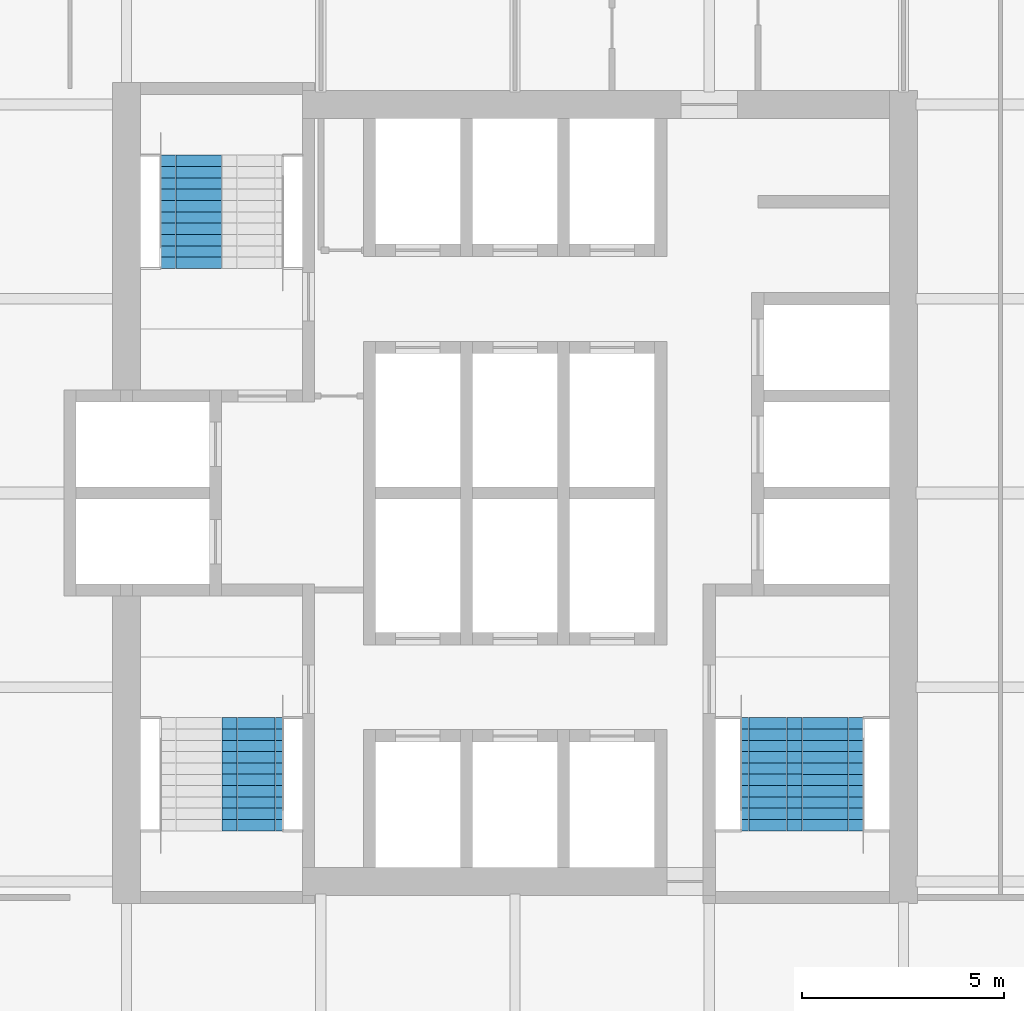
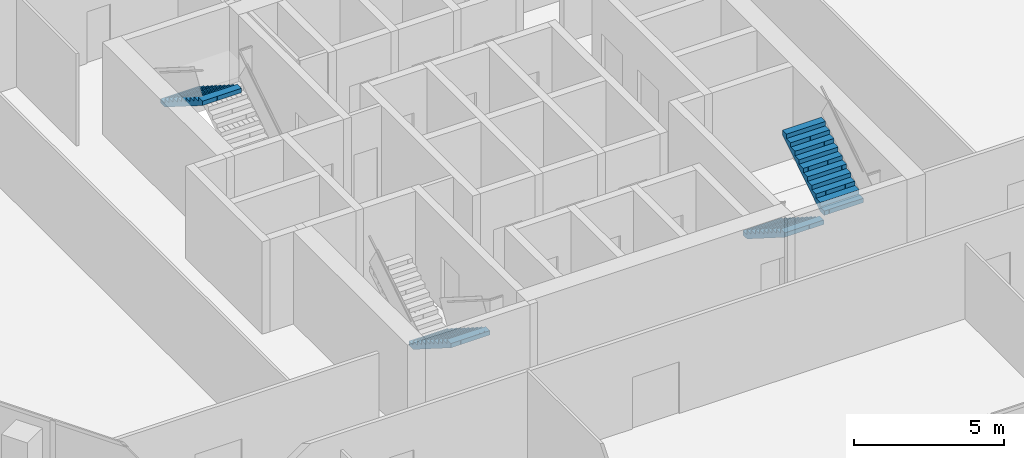
# One storey, part 12 of 15: 4 stair flights, 3 elements without a shape of their own.
"""IFC4 building model written with IfcOpenShell, lengths in metres."""

from ifc_helpers import new_model, si_unit, direction, frame, origin, place, context, subcontext, project, spatial, polyline, outline, extrude, material, type_object, element, aggregate, save


model = new_model("IFC4")

# Units and contexts
model_context = context("Model", 3, precision=1e-05, world=origin(), true_north=direction((0.0, 1.0)))
body_context = subcontext(model_context, "Body", "Model", "MODEL_VIEW")
ifc_project = project(units=[si_unit("LENGTHUNIT", "METRE"), si_unit("AREAUNIT", "SQUARE_METRE"), si_unit("VOLUMEUNIT", "CUBIC_METRE"), si_unit("PLANEANGLEUNIT", "RADIAN"), si_unit("MASSUNIT", "GRAM", prefix="KILO")], contexts=[model_context])

# Site, building, storey
site_placement = place(None, origin())
site = spatial("IfcSite", under=ifc_project, at=site_placement, CompositionType="ELEMENT")
building_placement = place(site_placement, origin())
building = spatial("IfcBuilding", under=site, at=building_placement, Name="Kolab Exchange Tower", CompositionType="ELEMENT")
storey_placement = place(building_placement, frame((0.0, 0.0, 154.39990234375)))
storey = spatial("IfcBuildingStorey", under=building, at=storey_placement, Name="L31", CompositionType="ELEMENT", Elevation=154.39990234375)

# Stair, stair flight
ifc_material = material(Name="Concrete C50/60", Category="concrete")
stair_type_1 = type_object("IfcStairType", Name="STAIR ST1 RISER 177.3", PredefinedType="HALF_TURN_STAIR", material=ifc_material)
stair_1_placement = place(storey_placement, origin())
stair_1 = element("IfcStair", 1, at=stair_1_placement, inside=storey, type_object=stair_type_1, Name="Stair 1", PredefinedType="HALF_TURN_STAIR")
stair_flight_type = type_object("IfcStairFlightType", Name="STAIR FLIGHT 1500 RISER 177.3", PredefinedType="STRAIGHT", material=ifc_material)
stair_flight_1_placement = place(storey_placement, frame((-8.010009765625, 8.35009765625, 1.9501953125), z_axis=(0.0, 0.0, 1.0), x_axis=(0.0, -1.0, 0.0)))
stair_flight_1 = element("IfcStairFlight", 2, at=stair_flight_1_placement, type_object=stair_flight_type, Name="ST1 flight 2", NumberOfRisers=11, NumberOfTreads=10, PredefinedType="STRAIGHT", RiserHeight=0.177272727, TreadLength=0.28, context=body_context, shape_type="SweptSolid", body=[
    extrude(outline(polyline([(0.0, 0.0), (0.0, 0.17724609375), (0.280029296875, 0.17724609375), (0.280029296875, 0.3544921875), (0.56005859375, 0.3544921875), (0.56005859375, 0.53173828125), (0.840087890625, 0.53173828125), (0.840087890625, 0.708984375), (1.1201171875, 0.708984375), (1.1201171875, 0.886474609375), (1.39990234375, 0.886474609375), (1.39990234375, 1.063720703125), (1.679931640625, 1.063720703125), (1.679931640625, 1.240966796875), (1.9599609375, 1.240966796875), (1.9599609375, 1.418212890625), (2.239990234375, 1.418212890625), (2.239990234375, 1.595458984375), (2.52001953125, 1.595458984375), (2.52001953125, 1.772705078125), (2.800048828125, 1.772705078125), (2.800048828125, 1.949951171875), (2.800048828125, 1.59521484375), (0.2802734375, 0.0), (0.0, 0.0)])), frame((0.0, 0.75, 0.0), z_axis=(0.0, -1.0, 0.0), x_axis=(1.0, 0.0, 0.0)), (0.0, 0.0, 1.0), 0.185791015625),
    extrude(outline(polyline([(0.0, 0.0), (0.0, 0.17724609375), (0.280029296875, 0.17724609375), (0.280029296875, 0.3544921875), (0.56005859375, 0.3544921875), (0.56005859375, 0.53173828125), (0.840087890625, 0.53173828125), (0.840087890625, 0.708984375), (1.1201171875, 0.708984375), (1.1201171875, 0.886474609375), (1.39990234375, 0.886474609375), (1.39990234375, 1.063720703125), (1.679931640625, 1.063720703125), (1.679931640625, 1.240966796875), (1.9599609375, 1.240966796875), (1.9599609375, 1.418212890625), (2.239990234375, 1.418212890625), (2.239990234375, 1.595458984375), (2.52001953125, 1.595458984375), (2.52001953125, 1.772705078125), (2.800048828125, 1.772705078125), (2.800048828125, 1.949951171875), (2.800048828125, 1.59521484375), (0.2802734375, 0.0), (0.0, 0.0)])), frame((0.0, 0.562255859375, 0.0), z_axis=(0.0, -1.0, 0.0), x_axis=(1.0, 0.0, 0.0)), (0.0, 0.0, 1.0), 0.185791015625),
    extrude(outline(polyline([(0.0, 0.0), (0.0, 0.17724609375), (0.280029296875, 0.17724609375), (0.280029296875, 0.3544921875), (0.56005859375, 0.3544921875), (0.56005859375, 0.53173828125), (0.840087890625, 0.53173828125), (0.840087890625, 0.708984375), (1.1201171875, 0.708984375), (1.1201171875, 0.886474609375), (1.39990234375, 0.886474609375), (1.39990234375, 1.063720703125), (1.679931640625, 1.063720703125), (1.679931640625, 1.240966796875), (1.9599609375, 1.240966796875), (1.9599609375, 1.418212890625), (2.239990234375, 1.418212890625), (2.239990234375, 1.595458984375), (2.52001953125, 1.595458984375), (2.52001953125, 1.772705078125), (2.800048828125, 1.772705078125), (2.800048828125, 1.949951171875), (2.800048828125, 1.59521484375), (0.2802734375, 0.0), (0.0, 0.0)])), frame((0.0, 0.37451171875, 0.0), z_axis=(0.0, -1.0, 0.0), x_axis=(1.0, 0.0, 0.0)), (0.0, 0.0, 1.0), 0.185791015625),
    extrude(outline(polyline([(0.0, 0.0), (0.0, 0.17724609375), (0.280029296875, 0.17724609375), (0.280029296875, 0.3544921875), (0.56005859375, 0.3544921875), (0.56005859375, 0.53173828125), (0.840087890625, 0.53173828125), (0.840087890625, 0.708984375), (1.1201171875, 0.708984375), (1.1201171875, 0.886474609375), (1.39990234375, 0.886474609375), (1.39990234375, 1.063720703125), (1.679931640625, 1.063720703125), (1.679931640625, 1.240966796875), (1.9599609375, 1.240966796875), (1.9599609375, 1.418212890625), (2.239990234375, 1.418212890625), (2.239990234375, 1.595458984375), (2.52001953125, 1.595458984375), (2.52001953125, 1.772705078125), (2.800048828125, 1.772705078125), (2.800048828125, 1.949951171875), (2.800048828125, 1.59521484375), (0.2802734375, 0.0), (0.0, 0.0)])), frame((0.0, 0.186767578125, 0.0), z_axis=(0.0, -1.0, 0.0), x_axis=(1.0, 0.0, 0.0)), (0.0, 0.0, 1.0), 0.185791015625),
    extrude(outline(polyline([(0.0, 0.0), (0.0, 0.17724609375), (0.280029296875, 0.17724609375), (0.280029296875, 0.3544921875), (0.56005859375, 0.3544921875), (0.56005859375, 0.53173828125), (0.840087890625, 0.53173828125), (0.840087890625, 0.708984375), (1.1201171875, 0.708984375), (1.1201171875, 0.886474609375), (1.39990234375, 0.886474609375), (1.39990234375, 1.063720703125), (1.679931640625, 1.063720703125), (1.679931640625, 1.240966796875), (1.9599609375, 1.240966796875), (1.9599609375, 1.418212890625), (2.239990234375, 1.418212890625), (2.239990234375, 1.595458984375), (2.52001953125, 1.595458984375), (2.52001953125, 1.772705078125), (2.800048828125, 1.772705078125), (2.800048828125, 1.949951171875), (2.800048828125, 1.59521484375), (0.2802734375, 0.0), (0.0, 0.0)])), frame((0.0, -0.0009765625, 0.0), z_axis=(0.0, -1.0, 0.0), x_axis=(1.0, 0.0, 0.0)), (0.0, 0.0, 1.0), 0.185791015625),
    extrude(outline(polyline([(0.0, 0.0), (0.0, 0.17724609375), (0.280029296875, 0.17724609375), (0.280029296875, 0.3544921875), (0.56005859375, 0.3544921875), (0.56005859375, 0.53173828125), (0.840087890625, 0.53173828125), (0.840087890625, 0.708984375), (1.1201171875, 0.708984375), (1.1201171875, 0.886474609375), (1.39990234375, 0.886474609375), (1.39990234375, 1.063720703125), (1.679931640625, 1.063720703125), (1.679931640625, 1.240966796875), (1.9599609375, 1.240966796875), (1.9599609375, 1.418212890625), (2.239990234375, 1.418212890625), (2.239990234375, 1.595458984375), (2.52001953125, 1.595458984375), (2.52001953125, 1.772705078125), (2.800048828125, 1.772705078125), (2.800048828125, 1.949951171875), (2.800048828125, 1.59521484375), (0.2802734375, 0.0), (0.0, 0.0)])), frame((0.0, -0.188720703125, 0.0), z_axis=(0.0, -1.0, 0.0), x_axis=(1.0, 0.0, 0.0)), (0.0, 0.0, 1.0), 0.185791015625),
    extrude(outline(polyline([(0.0, 0.0), (0.0, 0.17724609375), (0.280029296875, 0.17724609375), (0.280029296875, 0.3544921875), (0.56005859375, 0.3544921875), (0.56005859375, 0.53173828125), (0.840087890625, 0.53173828125), (0.840087890625, 0.708984375), (1.1201171875, 0.708984375), (1.1201171875, 0.886474609375), (1.39990234375, 0.886474609375), (1.39990234375, 1.063720703125), (1.679931640625, 1.063720703125), (1.679931640625, 1.240966796875), (1.9599609375, 1.240966796875), (1.9599609375, 1.418212890625), (2.239990234375, 1.418212890625), (2.239990234375, 1.595458984375), (2.52001953125, 1.595458984375), (2.52001953125, 1.772705078125), (2.800048828125, 1.772705078125), (2.800048828125, 1.949951171875), (2.800048828125, 1.59521484375), (0.2802734375, 0.0), (0.0, 0.0)])), frame((0.0, -0.37646484375, 0.0), z_axis=(0.0, -1.0, 0.0), x_axis=(1.0, 0.0, 0.0)), (0.0, 0.0, 1.0), 0.185791015625),
    extrude(outline(polyline([(0.0, 0.0), (0.0, 0.17724609375), (0.280029296875, 0.17724609375), (0.280029296875, 0.3544921875), (0.56005859375, 0.3544921875), (0.56005859375, 0.53173828125), (0.840087890625, 0.53173828125), (0.840087890625, 0.708984375), (1.1201171875, 0.708984375), (1.1201171875, 0.886474609375), (1.39990234375, 0.886474609375), (1.39990234375, 1.063720703125), (1.679931640625, 1.063720703125), (1.679931640625, 1.240966796875), (1.9599609375, 1.240966796875), (1.9599609375, 1.418212890625), (2.239990234375, 1.418212890625), (2.239990234375, 1.595458984375), (2.52001953125, 1.595458984375), (2.52001953125, 1.772705078125), (2.800048828125, 1.772705078125), (2.800048828125, 1.949951171875), (2.800048828125, 1.59521484375), (0.2802734375, 0.0), (0.0, 0.0)])), frame((0.0, -0.564208984375, 0.0), z_axis=(0.0, -1.0, 0.0), x_axis=(1.0, 0.0, 0.0)), (0.0, 0.0, 1.0), 0.185791015625),
])
aggregate(stair_1, [stair_flight_1])

stair_type_2 = type_object("IfcStairType", Name="STAIR ST3 RISER 177.3", PredefinedType="HALF_TURN_STAIR", material=ifc_material)
stair_2_placement = place(storey_placement, origin())
stair_2 = element("IfcStair", 3, at=stair_2_placement, inside=storey, type_object=stair_type_2, Name="Stair 3", PredefinedType="HALF_TURN_STAIR")
stair_flight_2_placement = place(storey_placement, frame((-6.489990234375, -5.550048828125, 0.0), z_axis=(0.0, 0.0, 1.0), x_axis=(0.0, -1.0, 0.0)))
stair_flight_2 = element("IfcStairFlight", 4, at=stair_flight_2_placement, type_object=stair_flight_type, Name="ST3 flight 1", NumberOfRisers=11, NumberOfTreads=10, PredefinedType="STRAIGHT", RiserHeight=0.177272727, TreadLength=0.28, context=body_context, shape_type="SweptSolid", body=[
    extrude(outline(polyline([(0.0, 0.0), (0.0, 0.17724609375), (0.280029296875, 0.17724609375), (0.280029296875, 0.3544921875), (0.56005859375, 0.3544921875), (0.56005859375, 0.53173828125), (0.840087890625, 0.53173828125), (0.840087890625, 0.708984375), (1.1201171875, 0.708984375), (1.1201171875, 0.886474609375), (1.39990234375, 0.886474609375), (1.39990234375, 1.063720703125), (1.679931640625, 1.063720703125), (1.679931640625, 1.240966796875), (1.9599609375, 1.240966796875), (1.9599609375, 1.418212890625), (2.239990234375, 1.418212890625), (2.239990234375, 1.595458984375), (2.52001953125, 1.595458984375), (2.52001953125, 1.772705078125), (2.800048828125, 1.772705078125), (2.800048828125, 1.949951171875), (2.800048828125, 1.59521484375), (0.2802734375, 0.0), (0.0, 0.0)])), frame((0.0, 0.75, 0.0), z_axis=(0.0, -1.0, 0.0), x_axis=(1.0, 0.0, 0.0)), (0.0, 0.0, 1.0), 0.185791015625),
    extrude(outline(polyline([(0.0, 0.0), (0.0, 0.17724609375), (0.280029296875, 0.17724609375), (0.280029296875, 0.3544921875), (0.56005859375, 0.3544921875), (0.56005859375, 0.53173828125), (0.840087890625, 0.53173828125), (0.840087890625, 0.708984375), (1.1201171875, 0.708984375), (1.1201171875, 0.886474609375), (1.39990234375, 0.886474609375), (1.39990234375, 1.063720703125), (1.679931640625, 1.063720703125), (1.679931640625, 1.240966796875), (1.9599609375, 1.240966796875), (1.9599609375, 1.418212890625), (2.239990234375, 1.418212890625), (2.239990234375, 1.595458984375), (2.52001953125, 1.595458984375), (2.52001953125, 1.772705078125), (2.800048828125, 1.772705078125), (2.800048828125, 1.949951171875), (2.800048828125, 1.59521484375), (0.2802734375, 0.0), (0.0, 0.0)])), frame((0.0, 0.562255859375, 0.0), z_axis=(0.0, -1.0, 0.0), x_axis=(1.0, 0.0, 0.0)), (0.0, 0.0, 1.0), 0.185791015625),
    extrude(outline(polyline([(0.0, 0.0), (0.0, 0.17724609375), (0.280029296875, 0.17724609375), (0.280029296875, 0.3544921875), (0.56005859375, 0.3544921875), (0.56005859375, 0.53173828125), (0.840087890625, 0.53173828125), (0.840087890625, 0.708984375), (1.1201171875, 0.708984375), (1.1201171875, 0.886474609375), (1.39990234375, 0.886474609375), (1.39990234375, 1.063720703125), (1.679931640625, 1.063720703125), (1.679931640625, 1.240966796875), (1.9599609375, 1.240966796875), (1.9599609375, 1.418212890625), (2.239990234375, 1.418212890625), (2.239990234375, 1.595458984375), (2.52001953125, 1.595458984375), (2.52001953125, 1.772705078125), (2.800048828125, 1.772705078125), (2.800048828125, 1.949951171875), (2.800048828125, 1.59521484375), (0.2802734375, 0.0), (0.0, 0.0)])), frame((0.0, 0.37451171875, 0.0), z_axis=(0.0, -1.0, 0.0), x_axis=(1.0, 0.0, 0.0)), (0.0, 0.0, 1.0), 0.185791015625),
    extrude(outline(polyline([(0.0, 0.0), (0.0, 0.17724609375), (0.280029296875, 0.17724609375), (0.280029296875, 0.3544921875), (0.56005859375, 0.3544921875), (0.56005859375, 0.53173828125), (0.840087890625, 0.53173828125), (0.840087890625, 0.708984375), (1.1201171875, 0.708984375), (1.1201171875, 0.886474609375), (1.39990234375, 0.886474609375), (1.39990234375, 1.063720703125), (1.679931640625, 1.063720703125), (1.679931640625, 1.240966796875), (1.9599609375, 1.240966796875), (1.9599609375, 1.418212890625), (2.239990234375, 1.418212890625), (2.239990234375, 1.595458984375), (2.52001953125, 1.595458984375), (2.52001953125, 1.772705078125), (2.800048828125, 1.772705078125), (2.800048828125, 1.949951171875), (2.800048828125, 1.59521484375), (0.2802734375, 0.0), (0.0, 0.0)])), frame((0.0, 0.186767578125, 0.0), z_axis=(0.0, -1.0, 0.0), x_axis=(1.0, 0.0, 0.0)), (0.0, 0.0, 1.0), 0.185791015625),
    extrude(outline(polyline([(0.0, 0.0), (0.0, 0.17724609375), (0.280029296875, 0.17724609375), (0.280029296875, 0.3544921875), (0.56005859375, 0.3544921875), (0.56005859375, 0.53173828125), (0.840087890625, 0.53173828125), (0.840087890625, 0.708984375), (1.1201171875, 0.708984375), (1.1201171875, 0.886474609375), (1.39990234375, 0.886474609375), (1.39990234375, 1.063720703125), (1.679931640625, 1.063720703125), (1.679931640625, 1.240966796875), (1.9599609375, 1.240966796875), (1.9599609375, 1.418212890625), (2.239990234375, 1.418212890625), (2.239990234375, 1.595458984375), (2.52001953125, 1.595458984375), (2.52001953125, 1.772705078125), (2.800048828125, 1.772705078125), (2.800048828125, 1.949951171875), (2.800048828125, 1.59521484375), (0.2802734375, 0.0), (0.0, 0.0)])), frame((0.0, -0.0009765625, 0.0), z_axis=(0.0, -1.0, 0.0), x_axis=(1.0, 0.0, 0.0)), (0.0, 0.0, 1.0), 0.185791015625),
    extrude(outline(polyline([(0.0, 0.0), (0.0, 0.17724609375), (0.280029296875, 0.17724609375), (0.280029296875, 0.3544921875), (0.56005859375, 0.3544921875), (0.56005859375, 0.53173828125), (0.840087890625, 0.53173828125), (0.840087890625, 0.708984375), (1.1201171875, 0.708984375), (1.1201171875, 0.886474609375), (1.39990234375, 0.886474609375), (1.39990234375, 1.063720703125), (1.679931640625, 1.063720703125), (1.679931640625, 1.240966796875), (1.9599609375, 1.240966796875), (1.9599609375, 1.418212890625), (2.239990234375, 1.418212890625), (2.239990234375, 1.595458984375), (2.52001953125, 1.595458984375), (2.52001953125, 1.772705078125), (2.800048828125, 1.772705078125), (2.800048828125, 1.949951171875), (2.800048828125, 1.59521484375), (0.2802734375, 0.0), (0.0, 0.0)])), frame((0.0, -0.188720703125, 0.0), z_axis=(0.0, -1.0, 0.0), x_axis=(1.0, 0.0, 0.0)), (0.0, 0.0, 1.0), 0.185791015625),
    extrude(outline(polyline([(0.0, 0.0), (0.0, 0.17724609375), (0.280029296875, 0.17724609375), (0.280029296875, 0.3544921875), (0.56005859375, 0.3544921875), (0.56005859375, 0.53173828125), (0.840087890625, 0.53173828125), (0.840087890625, 0.708984375), (1.1201171875, 0.708984375), (1.1201171875, 0.886474609375), (1.39990234375, 0.886474609375), (1.39990234375, 1.063720703125), (1.679931640625, 1.063720703125), (1.679931640625, 1.240966796875), (1.9599609375, 1.240966796875), (1.9599609375, 1.418212890625), (2.239990234375, 1.418212890625), (2.239990234375, 1.595458984375), (2.52001953125, 1.595458984375), (2.52001953125, 1.772705078125), (2.800048828125, 1.772705078125), (2.800048828125, 1.949951171875), (2.800048828125, 1.59521484375), (0.2802734375, 0.0), (0.0, 0.0)])), frame((0.0, -0.37646484375, 0.0), z_axis=(0.0, -1.0, 0.0), x_axis=(1.0, 0.0, 0.0)), (0.0, 0.0, 1.0), 0.185791015625),
    extrude(outline(polyline([(0.0, 0.0), (0.0, 0.17724609375), (0.280029296875, 0.17724609375), (0.280029296875, 0.3544921875), (0.56005859375, 0.3544921875), (0.56005859375, 0.53173828125), (0.840087890625, 0.53173828125), (0.840087890625, 0.708984375), (1.1201171875, 0.708984375), (1.1201171875, 0.886474609375), (1.39990234375, 0.886474609375), (1.39990234375, 1.063720703125), (1.679931640625, 1.063720703125), (1.679931640625, 1.240966796875), (1.9599609375, 1.240966796875), (1.9599609375, 1.418212890625), (2.239990234375, 1.418212890625), (2.239990234375, 1.595458984375), (2.52001953125, 1.595458984375), (2.52001953125, 1.772705078125), (2.800048828125, 1.772705078125), (2.800048828125, 1.949951171875), (2.800048828125, 1.59521484375), (0.2802734375, 0.0), (0.0, 0.0)])), frame((0.0, -0.564208984375, 0.0), z_axis=(0.0, -1.0, 0.0), x_axis=(1.0, 0.0, 0.0)), (0.0, 0.0, 1.0), 0.185791015625),
])
aggregate(stair_2, [stair_flight_2])

# Stair, stair flights
stair_type_3 = type_object("IfcStairType", Name="STAIR ST2 RISER 177.3", PredefinedType="HALF_TURN_STAIR", material=ifc_material)
stair_3_placement = place(storey_placement, origin())
stair_3 = element("IfcStair", 5, at=stair_3_placement, inside=storey, type_object=stair_type_3, Name="Stair 2", PredefinedType="HALF_TURN_STAIR")
stair_flight_3_placement = place(storey_placement, frame((6.340087890625, -5.550048828125, 0.0), z_axis=(0.0, 0.0, 1.0), x_axis=(0.0, -1.0, 0.0)))
stair_flight_3 = element("IfcStairFlight", 6, at=stair_flight_3_placement, type_object=stair_flight_type, Name="ST2 flight 1", NumberOfRisers=11, NumberOfTreads=10, PredefinedType="STRAIGHT", RiserHeight=0.177272727, TreadLength=0.28, context=body_context, shape_type="SweptSolid", body=[
    extrude(outline(polyline([(0.0, 0.0), (0.0, 0.17724609375), (0.280029296875, 0.17724609375), (0.280029296875, 0.3544921875), (0.56005859375, 0.3544921875), (0.56005859375, 0.53173828125), (0.840087890625, 0.53173828125), (0.840087890625, 0.708984375), (1.1201171875, 0.708984375), (1.1201171875, 0.886474609375), (1.39990234375, 0.886474609375), (1.39990234375, 1.063720703125), (1.679931640625, 1.063720703125), (1.679931640625, 1.240966796875), (1.9599609375, 1.240966796875), (1.9599609375, 1.418212890625), (2.239990234375, 1.418212890625), (2.239990234375, 1.595458984375), (2.52001953125, 1.595458984375), (2.52001953125, 1.772705078125), (2.800048828125, 1.772705078125), (2.800048828125, 1.949951171875), (2.800048828125, 1.59521484375), (0.2802734375, 0.0), (0.0, 0.0)])), frame((0.0, 0.75, 0.0), z_axis=(0.0, -1.0, 0.0), x_axis=(1.0, 0.0, 0.0)), (0.0, 0.0, 1.0), 0.185791015625),
    extrude(outline(polyline([(0.0, 0.0), (0.0, 0.17724609375), (0.280029296875, 0.17724609375), (0.280029296875, 0.3544921875), (0.56005859375, 0.3544921875), (0.56005859375, 0.53173828125), (0.840087890625, 0.53173828125), (0.840087890625, 0.708984375), (1.1201171875, 0.708984375), (1.1201171875, 0.886474609375), (1.39990234375, 0.886474609375), (1.39990234375, 1.063720703125), (1.679931640625, 1.063720703125), (1.679931640625, 1.240966796875), (1.9599609375, 1.240966796875), (1.9599609375, 1.418212890625), (2.239990234375, 1.418212890625), (2.239990234375, 1.595458984375), (2.52001953125, 1.595458984375), (2.52001953125, 1.772705078125), (2.800048828125, 1.772705078125), (2.800048828125, 1.949951171875), (2.800048828125, 1.59521484375), (0.2802734375, 0.0), (0.0, 0.0)])), frame((0.0, 0.562255859375, 0.0), z_axis=(0.0, -1.0, 0.0), x_axis=(1.0, 0.0, 0.0)), (0.0, 0.0, 1.0), 0.185791015625),
    extrude(outline(polyline([(0.0, 0.0), (0.0, 0.17724609375), (0.280029296875, 0.17724609375), (0.280029296875, 0.3544921875), (0.56005859375, 0.3544921875), (0.56005859375, 0.53173828125), (0.840087890625, 0.53173828125), (0.840087890625, 0.708984375), (1.1201171875, 0.708984375), (1.1201171875, 0.886474609375), (1.39990234375, 0.886474609375), (1.39990234375, 1.063720703125), (1.679931640625, 1.063720703125), (1.679931640625, 1.240966796875), (1.9599609375, 1.240966796875), (1.9599609375, 1.418212890625), (2.239990234375, 1.418212890625), (2.239990234375, 1.595458984375), (2.52001953125, 1.595458984375), (2.52001953125, 1.772705078125), (2.800048828125, 1.772705078125), (2.800048828125, 1.949951171875), (2.800048828125, 1.59521484375), (0.2802734375, 0.0), (0.0, 0.0)])), frame((0.0, 0.37451171875, 0.0), z_axis=(0.0, -1.0, 0.0), x_axis=(1.0, 0.0, 0.0)), (0.0, 0.0, 1.0), 0.185791015625),
    extrude(outline(polyline([(0.0, 0.0), (0.0, 0.17724609375), (0.280029296875, 0.17724609375), (0.280029296875, 0.3544921875), (0.56005859375, 0.3544921875), (0.56005859375, 0.53173828125), (0.840087890625, 0.53173828125), (0.840087890625, 0.708984375), (1.1201171875, 0.708984375), (1.1201171875, 0.886474609375), (1.39990234375, 0.886474609375), (1.39990234375, 1.063720703125), (1.679931640625, 1.063720703125), (1.679931640625, 1.240966796875), (1.9599609375, 1.240966796875), (1.9599609375, 1.418212890625), (2.239990234375, 1.418212890625), (2.239990234375, 1.595458984375), (2.52001953125, 1.595458984375), (2.52001953125, 1.772705078125), (2.800048828125, 1.772705078125), (2.800048828125, 1.949951171875), (2.800048828125, 1.59521484375), (0.2802734375, 0.0), (0.0, 0.0)])), frame((0.0, 0.186767578125, 0.0), z_axis=(0.0, -1.0, 0.0), x_axis=(1.0, 0.0, 0.0)), (0.0, 0.0, 1.0), 0.185791015625),
    extrude(outline(polyline([(0.0, 0.0), (0.0, 0.17724609375), (0.280029296875, 0.17724609375), (0.280029296875, 0.3544921875), (0.56005859375, 0.3544921875), (0.56005859375, 0.53173828125), (0.840087890625, 0.53173828125), (0.840087890625, 0.708984375), (1.1201171875, 0.708984375), (1.1201171875, 0.886474609375), (1.39990234375, 0.886474609375), (1.39990234375, 1.063720703125), (1.679931640625, 1.063720703125), (1.679931640625, 1.240966796875), (1.9599609375, 1.240966796875), (1.9599609375, 1.418212890625), (2.239990234375, 1.418212890625), (2.239990234375, 1.595458984375), (2.52001953125, 1.595458984375), (2.52001953125, 1.772705078125), (2.800048828125, 1.772705078125), (2.800048828125, 1.949951171875), (2.800048828125, 1.59521484375), (0.2802734375, 0.0), (0.0, 0.0)])), frame((0.0, -0.0009765625, 0.0), z_axis=(0.0, -1.0, 0.0), x_axis=(1.0, 0.0, 0.0)), (0.0, 0.0, 1.0), 0.185791015625),
    extrude(outline(polyline([(0.0, 0.0), (0.0, 0.17724609375), (0.280029296875, 0.17724609375), (0.280029296875, 0.3544921875), (0.56005859375, 0.3544921875), (0.56005859375, 0.53173828125), (0.840087890625, 0.53173828125), (0.840087890625, 0.708984375), (1.1201171875, 0.708984375), (1.1201171875, 0.886474609375), (1.39990234375, 0.886474609375), (1.39990234375, 1.063720703125), (1.679931640625, 1.063720703125), (1.679931640625, 1.240966796875), (1.9599609375, 1.240966796875), (1.9599609375, 1.418212890625), (2.239990234375, 1.418212890625), (2.239990234375, 1.595458984375), (2.52001953125, 1.595458984375), (2.52001953125, 1.772705078125), (2.800048828125, 1.772705078125), (2.800048828125, 1.949951171875), (2.800048828125, 1.59521484375), (0.2802734375, 0.0), (0.0, 0.0)])), frame((0.0, -0.188720703125, 0.0), z_axis=(0.0, -1.0, 0.0), x_axis=(1.0, 0.0, 0.0)), (0.0, 0.0, 1.0), 0.185791015625),
    extrude(outline(polyline([(0.0, 0.0), (0.0, 0.17724609375), (0.280029296875, 0.17724609375), (0.280029296875, 0.3544921875), (0.56005859375, 0.3544921875), (0.56005859375, 0.53173828125), (0.840087890625, 0.53173828125), (0.840087890625, 0.708984375), (1.1201171875, 0.708984375), (1.1201171875, 0.886474609375), (1.39990234375, 0.886474609375), (1.39990234375, 1.063720703125), (1.679931640625, 1.063720703125), (1.679931640625, 1.240966796875), (1.9599609375, 1.240966796875), (1.9599609375, 1.418212890625), (2.239990234375, 1.418212890625), (2.239990234375, 1.595458984375), (2.52001953125, 1.595458984375), (2.52001953125, 1.772705078125), (2.800048828125, 1.772705078125), (2.800048828125, 1.949951171875), (2.800048828125, 1.59521484375), (0.2802734375, 0.0), (0.0, 0.0)])), frame((0.0, -0.37646484375, 0.0), z_axis=(0.0, -1.0, 0.0), x_axis=(1.0, 0.0, 0.0)), (0.0, 0.0, 1.0), 0.185791015625),
    extrude(outline(polyline([(0.0, 0.0), (0.0, 0.17724609375), (0.280029296875, 0.17724609375), (0.280029296875, 0.3544921875), (0.56005859375, 0.3544921875), (0.56005859375, 0.53173828125), (0.840087890625, 0.53173828125), (0.840087890625, 0.708984375), (1.1201171875, 0.708984375), (1.1201171875, 0.886474609375), (1.39990234375, 0.886474609375), (1.39990234375, 1.063720703125), (1.679931640625, 1.063720703125), (1.679931640625, 1.240966796875), (1.9599609375, 1.240966796875), (1.9599609375, 1.418212890625), (2.239990234375, 1.418212890625), (2.239990234375, 1.595458984375), (2.52001953125, 1.595458984375), (2.52001953125, 1.772705078125), (2.800048828125, 1.772705078125), (2.800048828125, 1.949951171875), (2.800048828125, 1.59521484375), (0.2802734375, 0.0), (0.0, 0.0)])), frame((0.0, -0.564208984375, 0.0), z_axis=(0.0, -1.0, 0.0), x_axis=(1.0, 0.0, 0.0)), (0.0, 0.0, 1.0), 0.185791015625),
])
stair_flight_4_placement = place(storey_placement, frame((7.860107421875, -8.35009765625, 1.9501953125), z_axis=(0.0, 0.0, 1.0), x_axis=(0.0, 1.0, 0.0)))
stair_flight_4 = element("IfcStairFlight", 7, at=stair_flight_4_placement, type_object=stair_flight_type, Name="ST2 flight 2", NumberOfRisers=11, NumberOfTreads=10, PredefinedType="STRAIGHT", RiserHeight=0.177272727, TreadLength=0.28, context=body_context, shape_type="SweptSolid", body=[
    extrude(outline(polyline([(0.0, 0.0), (0.0, 0.17724609375), (0.280029296875, 0.17724609375), (0.280029296875, 0.3544921875), (0.56005859375, 0.3544921875), (0.56005859375, 0.53173828125), (0.840087890625, 0.53173828125), (0.840087890625, 0.708984375), (1.1201171875, 0.708984375), (1.1201171875, 0.886474609375), (1.39990234375, 0.886474609375), (1.39990234375, 1.063720703125), (1.679931640625, 1.063720703125), (1.679931640625, 1.240966796875), (1.9599609375, 1.240966796875), (1.9599609375, 1.418212890625), (2.239990234375, 1.418212890625), (2.239990234375, 1.595458984375), (2.52001953125, 1.595458984375), (2.52001953125, 1.772705078125), (2.800048828125, 1.772705078125), (2.800048828125, 1.949951171875), (2.800048828125, 1.59521484375), (0.2802734375, 0.0), (0.0, 0.0)])), frame((0.0, 0.75, 0.0), z_axis=(0.0, -1.0, 0.0), x_axis=(1.0, 0.0, 0.0)), (0.0, 0.0, 1.0), 0.185791015625),
    extrude(outline(polyline([(0.0, 0.0), (0.0, 0.17724609375), (0.280029296875, 0.17724609375), (0.280029296875, 0.3544921875), (0.56005859375, 0.3544921875), (0.56005859375, 0.53173828125), (0.840087890625, 0.53173828125), (0.840087890625, 0.708984375), (1.1201171875, 0.708984375), (1.1201171875, 0.886474609375), (1.39990234375, 0.886474609375), (1.39990234375, 1.063720703125), (1.679931640625, 1.063720703125), (1.679931640625, 1.240966796875), (1.9599609375, 1.240966796875), (1.9599609375, 1.418212890625), (2.239990234375, 1.418212890625), (2.239990234375, 1.595458984375), (2.52001953125, 1.595458984375), (2.52001953125, 1.772705078125), (2.800048828125, 1.772705078125), (2.800048828125, 1.949951171875), (2.800048828125, 1.59521484375), (0.2802734375, 0.0), (0.0, 0.0)])), frame((0.0, 0.562255859375, 0.0), z_axis=(0.0, -1.0, 0.0), x_axis=(1.0, 0.0, 0.0)), (0.0, 0.0, 1.0), 0.185791015625),
    extrude(outline(polyline([(0.0, 0.0), (0.0, 0.17724609375), (0.280029296875, 0.17724609375), (0.280029296875, 0.3544921875), (0.56005859375, 0.3544921875), (0.56005859375, 0.53173828125), (0.840087890625, 0.53173828125), (0.840087890625, 0.708984375), (1.1201171875, 0.708984375), (1.1201171875, 0.886474609375), (1.39990234375, 0.886474609375), (1.39990234375, 1.063720703125), (1.679931640625, 1.063720703125), (1.679931640625, 1.240966796875), (1.9599609375, 1.240966796875), (1.9599609375, 1.418212890625), (2.239990234375, 1.418212890625), (2.239990234375, 1.595458984375), (2.52001953125, 1.595458984375), (2.52001953125, 1.772705078125), (2.800048828125, 1.772705078125), (2.800048828125, 1.949951171875), (2.800048828125, 1.59521484375), (0.2802734375, 0.0), (0.0, 0.0)])), frame((0.0, 0.37451171875, 0.0), z_axis=(0.0, -1.0, 0.0), x_axis=(1.0, 0.0, 0.0)), (0.0, 0.0, 1.0), 0.185791015625),
    extrude(outline(polyline([(0.0, 0.0), (0.0, 0.17724609375), (0.280029296875, 0.17724609375), (0.280029296875, 0.3544921875), (0.56005859375, 0.3544921875), (0.56005859375, 0.53173828125), (0.840087890625, 0.53173828125), (0.840087890625, 0.708984375), (1.1201171875, 0.708984375), (1.1201171875, 0.886474609375), (1.39990234375, 0.886474609375), (1.39990234375, 1.063720703125), (1.679931640625, 1.063720703125), (1.679931640625, 1.240966796875), (1.9599609375, 1.240966796875), (1.9599609375, 1.418212890625), (2.239990234375, 1.418212890625), (2.239990234375, 1.595458984375), (2.52001953125, 1.595458984375), (2.52001953125, 1.772705078125), (2.800048828125, 1.772705078125), (2.800048828125, 1.949951171875), (2.800048828125, 1.59521484375), (0.2802734375, 0.0), (0.0, 0.0)])), frame((0.0, 0.186767578125, 0.0), z_axis=(0.0, -1.0, 0.0), x_axis=(1.0, 0.0, 0.0)), (0.0, 0.0, 1.0), 0.185791015625),
    extrude(outline(polyline([(0.0, 0.0), (0.0, 0.17724609375), (0.280029296875, 0.17724609375), (0.280029296875, 0.3544921875), (0.56005859375, 0.3544921875), (0.56005859375, 0.53173828125), (0.840087890625, 0.53173828125), (0.840087890625, 0.708984375), (1.1201171875, 0.708984375), (1.1201171875, 0.886474609375), (1.39990234375, 0.886474609375), (1.39990234375, 1.063720703125), (1.679931640625, 1.063720703125), (1.679931640625, 1.240966796875), (1.9599609375, 1.240966796875), (1.9599609375, 1.418212890625), (2.239990234375, 1.418212890625), (2.239990234375, 1.595458984375), (2.52001953125, 1.595458984375), (2.52001953125, 1.772705078125), (2.800048828125, 1.772705078125), (2.800048828125, 1.949951171875), (2.800048828125, 1.59521484375), (0.2802734375, 0.0), (0.0, 0.0)])), frame((0.0, -0.0009765625, 0.0), z_axis=(0.0, -1.0, 0.0), x_axis=(1.0, 0.0, 0.0)), (0.0, 0.0, 1.0), 0.185791015625),
    extrude(outline(polyline([(0.0, 0.0), (0.0, 0.17724609375), (0.280029296875, 0.17724609375), (0.280029296875, 0.3544921875), (0.56005859375, 0.3544921875), (0.56005859375, 0.53173828125), (0.840087890625, 0.53173828125), (0.840087890625, 0.708984375), (1.1201171875, 0.708984375), (1.1201171875, 0.886474609375), (1.39990234375, 0.886474609375), (1.39990234375, 1.063720703125), (1.679931640625, 1.063720703125), (1.679931640625, 1.240966796875), (1.9599609375, 1.240966796875), (1.9599609375, 1.418212890625), (2.239990234375, 1.418212890625), (2.239990234375, 1.595458984375), (2.52001953125, 1.595458984375), (2.52001953125, 1.772705078125), (2.800048828125, 1.772705078125), (2.800048828125, 1.949951171875), (2.800048828125, 1.59521484375), (0.2802734375, 0.0), (0.0, 0.0)])), frame((0.0, -0.188720703125, 0.0), z_axis=(0.0, -1.0, 0.0), x_axis=(1.0, 0.0, 0.0)), (0.0, 0.0, 1.0), 0.185791015625),
    extrude(outline(polyline([(0.0, 0.0), (0.0, 0.17724609375), (0.280029296875, 0.17724609375), (0.280029296875, 0.3544921875), (0.56005859375, 0.3544921875), (0.56005859375, 0.53173828125), (0.840087890625, 0.53173828125), (0.840087890625, 0.708984375), (1.1201171875, 0.708984375), (1.1201171875, 0.886474609375), (1.39990234375, 0.886474609375), (1.39990234375, 1.063720703125), (1.679931640625, 1.063720703125), (1.679931640625, 1.240966796875), (1.9599609375, 1.240966796875), (1.9599609375, 1.418212890625), (2.239990234375, 1.418212890625), (2.239990234375, 1.595458984375), (2.52001953125, 1.595458984375), (2.52001953125, 1.772705078125), (2.800048828125, 1.772705078125), (2.800048828125, 1.949951171875), (2.800048828125, 1.59521484375), (0.2802734375, 0.0), (0.0, 0.0)])), frame((0.0, -0.37646484375, 0.0), z_axis=(0.0, -1.0, 0.0), x_axis=(1.0, 0.0, 0.0)), (0.0, 0.0, 1.0), 0.185791015625),
    extrude(outline(polyline([(0.0, 0.0), (0.0, 0.17724609375), (0.280029296875, 0.17724609375), (0.280029296875, 0.3544921875), (0.56005859375, 0.3544921875), (0.56005859375, 0.53173828125), (0.840087890625, 0.53173828125), (0.840087890625, 0.708984375), (1.1201171875, 0.708984375), (1.1201171875, 0.886474609375), (1.39990234375, 0.886474609375), (1.39990234375, 1.063720703125), (1.679931640625, 1.063720703125), (1.679931640625, 1.240966796875), (1.9599609375, 1.240966796875), (1.9599609375, 1.418212890625), (2.239990234375, 1.418212890625), (2.239990234375, 1.595458984375), (2.52001953125, 1.595458984375), (2.52001953125, 1.772705078125), (2.800048828125, 1.772705078125), (2.800048828125, 1.949951171875), (2.800048828125, 1.59521484375), (0.2802734375, 0.0), (0.0, 0.0)])), frame((0.0, -0.564208984375, 0.0), z_axis=(0.0, -1.0, 0.0), x_axis=(1.0, 0.0, 0.0)), (0.0, 0.0, 1.0), 0.185791015625),
])
aggregate(stair_3, [stair_flight_3, stair_flight_4])

save(model, "model.ifc")
